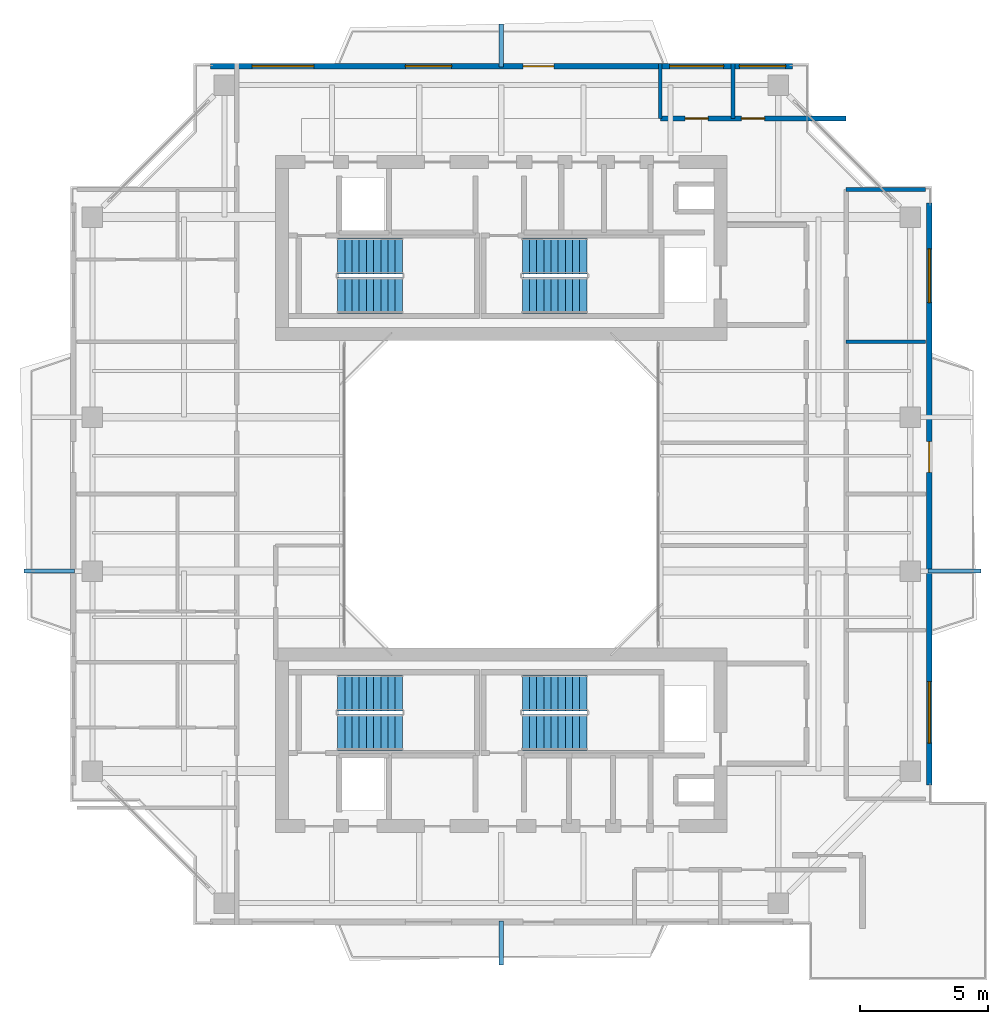
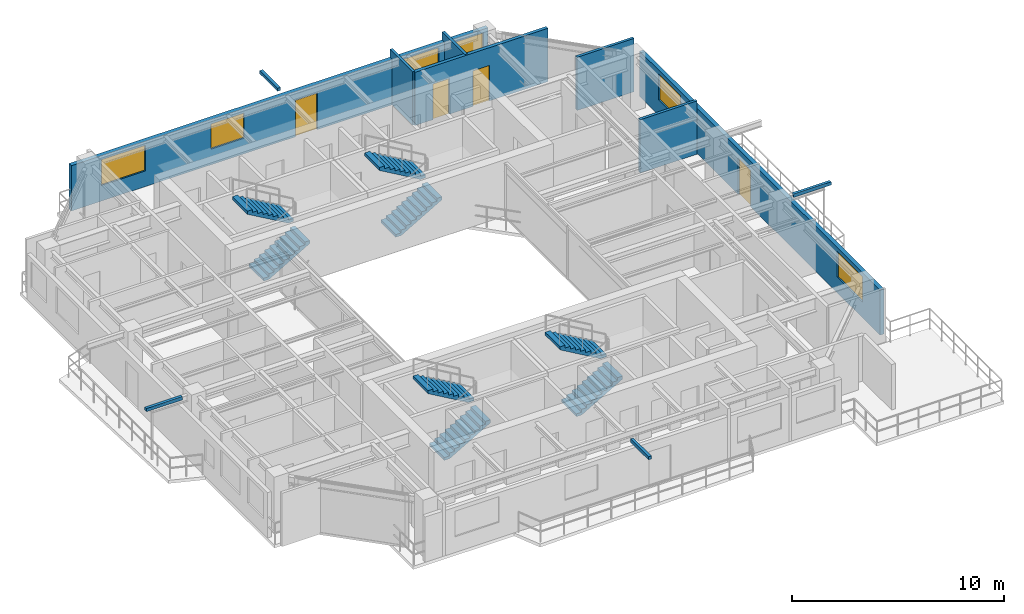
# One storey, part 13 of 15: 8 stair flights, 7 walls, 6 windows, 4 discrete accessories, 4 doors, 10 openings, 4 elements without a shape of their own.
"""IFC4 building model written with IfcOpenShell, lengths in metres."""

from ifc_helpers import new_model, si_unit, direction, frame, frame_2d, origin, origin_2d, place, context, subcontext, project, spatial, polyline, rectangle, outline, extrude, source, transform, mapped, material, layer, layer_set, type_object, element, fill, aggregate, save


model = new_model("IFC4")

# Units and contexts
model_context = context("Model", 3, precision=1e-05, world=origin(), true_north=direction((0.0, 1.0)))
body_context = subcontext(model_context, "Body", "Model", "MODEL_VIEW")
ifc_project = project(units=[si_unit("LENGTHUNIT", "METRE"), si_unit("AREAUNIT", "SQUARE_METRE"), si_unit("VOLUMEUNIT", "CUBIC_METRE"), si_unit("PLANEANGLEUNIT", "RADIAN"), si_unit("MASSUNIT", "GRAM", prefix="KILO"), si_unit("THERMODYNAMICTEMPERATUREUNIT", "KELVIN"), si_unit("POWERUNIT", "WATT")], contexts=[model_context])

# Site, building, storey
site_placement = place(None, origin())
site = spatial("IfcSite", under=ifc_project, at=site_placement, CompositionType="ELEMENT")
building_placement = place(site_placement, origin())
building = spatial("IfcBuilding", under=site, at=building_placement, Name="Qiaomeng Ring Towers", CompositionType="ELEMENT")
storey_placement = place(building_placement, frame((0.0, 0.0, 213.25)))
storey = spatial("IfcBuildingStorey", under=building, at=storey_placement, Name="L62", CompositionType="ELEMENT", Elevation=213.25)

# Wall, openings, windows, door
ifc_material_1 = material(Name="Precast concrete C40", Category="concrete")
ifc_layer_1 = layer(ifc_material_1, 0.219970703125, Name="Precast concrete C40")
ifc_layer_set_1 = layer_set([ifc_layer_1], Name="Precast concrete C40")
wall_type_1 = type_object("IfcWallType", Name="ARC-WL-EW2", PredefinedType="STANDARD", material=ifc_layer_set_1)
wall_1_placement = place(storey_placement, frame((7.64990234375, 39.68994140625, 0.0), z_axis=(0.0, 0.0, 1.0), x_axis=(1.0, 0.0, 0.0)))
wall_1 = element("IfcWall", 1, at=wall_1_placement, inside=storey, type_object=wall_type_1, Name="L62 Tower 1 N Exterior Wall", PredefinedType="STANDARD", context=body_context, shape_type="SweptSolid", body=[
    extrude(rectangle(XDim=22.7001953125, YDim=0.219970703125, at=frame_2d((11.35009765625, 0.0))), origin(), (0.0, 0.0, 1.0), 2.610107421875),
])
opening_1_placement = place(wall_1_placement, frame((12.199951171875, 0.0, 0.0)))
opening_1 = element("IfcOpeningElement", 2, at=opening_1_placement, cuts=wall_1, Name="Opening BD1", PredefinedType="OPENING", context=body_context, shape_type="SweptSolid", body=[
    extrude(rectangle(XDim=1.199951171875, YDim=2.10009765625, at=frame_2d((0.60009765625, 1.050048828125))), frame((0.0, 0.119873046875, 0.0), z_axis=(0.0, -1.0, 0.0), x_axis=(1.0, 0.0, 0.0)), (0.0, 0.0, 1.0), 0.239990234375),
])
opening_2_placement = place(wall_1_placement, frame((1.636962890625, 0.0, 0.89990234375)))
opening_2 = element("IfcOpeningElement", 3, at=opening_2_placement, cuts=wall_1, Name="Opening WN6", PredefinedType="OPENING", context=body_context, shape_type="SweptSolid", body=[
    extrude(rectangle(XDim=2.39990234375, YDim=1.47998046875, at=frame_2d((1.199951171875, 0.739990234375))), frame((0.0, 0.119873046875, 0.0), z_axis=(0.0, -1.0, 0.0), x_axis=(1.0, 0.0, 0.0)), (0.0, 0.0, 1.0), 0.239990234375),
])
opening_3_placement = place(wall_1_placement, frame((7.612060546875, 0.0, 0.89990234375)))
opening_3 = element("IfcOpeningElement", 4, at=opening_3_placement, cuts=wall_1, Name="Opening WN1", PredefinedType="OPENING", context=body_context, shape_type="SweptSolid", body=[
    extrude(rectangle(XDim=1.800048828125, YDim=1.449951171875, at=frame_2d((0.89990234375, 0.72509765625))), frame((0.0, 0.119873046875, 0.0), z_axis=(0.0, -1.0, 0.0), x_axis=(1.0, 0.0, 0.0)), (0.0, 0.0, 1.0), 0.239990234375),
])
opening_4_placement = place(wall_1_placement, frame((17.919921875, 0.0, 0.89990234375)))
opening_4 = element("IfcOpeningElement", 5, at=opening_4_placement, cuts=wall_1, Name="Opening WN4", PredefinedType="OPENING", context=body_context, shape_type="SweptSolid", body=[
    extrude(rectangle(XDim=2.10009765625, YDim=1.5, at=frame_2d((1.050048828125, 0.75))), frame((0.0, 0.119873046875, 0.0), z_axis=(0.0, -1.0, 0.0), x_axis=(1.0, 0.0, 0.0)), (0.0, 0.0, 1.0), 0.239990234375),
])
opening_5_placement = place(wall_1_placement, frame((20.637451171875, 0.0, 0.89990234375)))
opening_5 = element("IfcOpeningElement", 6, at=opening_5_placement, cuts=wall_1, Name="Opening WN1", PredefinedType="OPENING", context=body_context, shape_type="SweptSolid", body=[
    extrude(rectangle(XDim=1.800048828125, YDim=1.5, at=frame_2d((0.89990234375, 0.75))), frame((0.0, 0.119873046875, 0.0), z_axis=(0.0, -1.0, 0.0), x_axis=(1.0, 0.0, 0.0)), (0.0, 0.0, 1.0), 0.239990234375),
])
ifc_material_2 = material(Name="Low-E dark-grey laminated double glazing", Category="glass")
window_type_1 = type_object("IfcWindowType", Name="ARC-WN-4", PartitioningType="TRIPLE_PANEL_VERTICAL", PredefinedType="WINDOW", material=ifc_material_2)
shared_shape_1 = source(origin(), body_context, "Body", "SweptSolid", [
    extrude(rectangle(XDim=2.10009765625, YDim=1.5, at=frame_2d((1.050048828125, 0.75))), frame((0.0, 0.030029296875, 0.0), z_axis=(0.0, -1.0, 0.0), x_axis=(1.0, 0.0, 0.0)), (0.0, 0.0, 1.0), 0.06005859375),
])
window_1_placement = place(opening_4_placement, origin())
window_1 = element("IfcWindow", 7, at=window_1_placement, inside=storey, type_object=window_type_1, Name="L62 Exterior Window WN4", OverallHeight=1.5, OverallWidth=2.10009765625, PartitioningType="TRIPLE_PANEL_VERTICAL", PredefinedType="WINDOW", context=body_context, shape_type="MappedRepresentation", body=[
    mapped(shared_shape_1, transform((0.0, 0.0, 0.0), x_axis=(1.0, 0.0, 0.0), y_axis=(0.0, 1.0, 0.0), z_axis=(0.0, 0.0, 1.0), scale=1.0)),
])
fill(opening_4, window_1)
window_type_2 = type_object("IfcWindowType", Name="ARC-WN-1", PartitioningType="DOUBLE_PANEL_VERTICAL", PredefinedType="WINDOW", material=ifc_material_2)
shared_shape_2 = source(origin(), body_context, "Body", "SweptSolid", [
    extrude(rectangle(XDim=1.800048828125, YDim=1.449951171875, at=frame_2d((0.89990234375, 0.72509765625))), frame((0.0, 0.030029296875, 0.0), z_axis=(0.0, -1.0, 0.0), x_axis=(1.0, 0.0, 0.0)), (0.0, 0.0, 1.0), 0.06005859375),
])
window_2_placement = place(opening_3_placement, origin())
window_2 = element("IfcWindow", 8, at=window_2_placement, inside=storey, type_object=window_type_2, Name="L62 Exterior Window WN1", OverallHeight=1.449951171875, OverallWidth=1.800048828125, PartitioningType="DOUBLE_PANEL_VERTICAL", PredefinedType="WINDOW", context=body_context, shape_type="MappedRepresentation", body=[
    mapped(shared_shape_2, transform((0.0, 0.0, 0.0), x_axis=(1.0, 0.0, 0.0), y_axis=(0.0, 1.0, 0.0), z_axis=(0.0, 0.0, 1.0), scale=1.0)),
])
fill(opening_3, window_2)
window_type_3 = type_object("IfcWindowType", Name="ARC-WN-6", PartitioningType="TRIPLE_PANEL_VERTICAL", PredefinedType="WINDOW", material=ifc_material_2)
shared_shape_3 = source(origin(), body_context, "Body", "SweptSolid", [
    extrude(rectangle(XDim=2.39990234375, YDim=1.47998046875, at=frame_2d((1.199951171875, 0.739990234375))), frame((0.0, 0.030029296875, 0.0), z_axis=(0.0, -1.0, 0.0), x_axis=(1.0, 0.0, 0.0)), (0.0, 0.0, 1.0), 0.06005859375),
])
window_3_placement = place(opening_2_placement, origin())
window_3 = element("IfcWindow", 9, at=window_3_placement, inside=storey, type_object=window_type_3, Name="L62 Exterior Window WN6", OverallHeight=1.47998046875, OverallWidth=2.39990234375, PartitioningType="TRIPLE_PANEL_VERTICAL", PredefinedType="WINDOW", context=body_context, shape_type="MappedRepresentation", body=[
    mapped(shared_shape_3, transform((0.0, 0.0, 0.0), x_axis=(1.0, 0.0, 0.0), y_axis=(0.0, 1.0, 0.0), z_axis=(0.0, 0.0, 1.0), scale=1.0)),
])
fill(opening_2, window_3)
door_type_1 = type_object("IfcDoorType", Name="ARC-DR-BD1", OperationType="NOTDEFINED", PredefinedType="DOOR", material=ifc_material_2)
shared_shape_4 = source(origin(), body_context, "Body", "SweptSolid", [
    extrude(rectangle(XDim=1.199951171875, YDim=2.10009765625, at=frame_2d((0.60009765625, 1.050048828125))), frame((0.0, 0.02490234375, 0.0), z_axis=(0.0, -1.0, 0.0), x_axis=(1.0, 0.0, 0.0)), (0.0, 0.0, 1.0), 0.050048828125),
])
door_1_placement = place(opening_1_placement, origin())
door_1 = element("IfcDoor", 10, at=door_1_placement, inside=storey, type_object=door_type_1, Name="L62 N Balcony Glazed Door", OperationType="SINGLE_SWING_LEFT", OverallHeight=2.10009765625, OverallWidth=1.199951171875, PredefinedType="DOOR", context=body_context, shape_type="MappedRepresentation", body=[
    mapped(shared_shape_4, transform((0.0, 0.0, 0.0), x_axis=(1.0, 0.0, 0.0), y_axis=(0.0, 1.0, 0.0), z_axis=(0.0, 0.0, 1.0), scale=1.0)),
])
fill(opening_1, door_1)
shared_shape_5 = source(origin(), body_context, "Body", "SweptSolid", [
    extrude(rectangle(XDim=1.800048828125, YDim=1.5, at=frame_2d((0.89990234375, 0.75))), frame((0.0, 0.030029296875, 0.0), z_axis=(0.0, -1.0, 0.0), x_axis=(1.0, 0.0, 0.0)), (0.0, 0.0, 1.0), 0.06005859375),
])
window_4_placement = place(opening_5_placement, origin())
window_4 = element("IfcWindow", 11, at=window_4_placement, inside=storey, type_object=window_type_2, Name="L62 Exterior Window WN1", OverallHeight=1.5, OverallWidth=1.800048828125, PartitioningType="DOUBLE_PANEL_VERTICAL", PredefinedType="WINDOW", context=body_context, shape_type="MappedRepresentation", body=[
    mapped(shared_shape_5, transform((0.0, 0.0, 0.0), x_axis=(1.0, 0.0, 0.0), y_axis=(0.0, 1.0, 0.0), z_axis=(0.0, 0.0, 1.0), scale=1.0)),
])
fill(opening_5, window_4)

wall_2_placement = place(storey_placement, frame((35.68994140625, 11.64990234375, 0.0), z_axis=(0.0, 0.0, 1.0), x_axis=(0.0, 1.0, 0.0)))
wall_2 = element("IfcWall", 12, at=wall_2_placement, inside=storey, type_object=wall_type_1, Name="L62 Tower 1 E Exterior Wall", PredefinedType="STANDARD", context=body_context, shape_type="SweptSolid", body=[
    extrude(rectangle(XDim=22.7001953125, YDim=0.219970703125, at=frame_2d((11.35009765625, 0.0))), origin(), (0.0, 0.0, 1.0), 2.610107421875),
])
opening_6_placement = place(wall_2_placement, frame((12.199951171875, 0.0, 0.0)))
opening_6 = element("IfcOpeningElement", 13, at=opening_6_placement, cuts=wall_2, Name="Opening BD1", PredefinedType="OPENING", context=body_context, shape_type="SweptSolid", body=[
    extrude(rectangle(XDim=1.199951171875, YDim=2.10009765625, at=frame_2d((0.60009765625, 1.050048828125))), frame((0.0, 0.119873046875, 0.0), z_axis=(0.0, -1.0, 0.0), x_axis=(1.0, 0.0, 0.0)), (0.0, 0.0, 1.0), 0.239990234375),
])
opening_7_placement = place(wall_2_placement, frame((1.637939453125, 0.0, 0.89990234375)))
opening_7 = element("IfcOpeningElement", 14, at=opening_7_placement, cuts=wall_2, Name="Opening WN6", PredefinedType="OPENING", context=body_context, shape_type="SweptSolid", body=[
    extrude(rectangle(XDim=2.39990234375, YDim=1.47998046875, at=frame_2d((1.199951171875, 0.739990234375))), frame((0.0, 0.119873046875, 0.0), z_axis=(0.0, -1.0, 0.0), x_axis=(1.0, 0.0, 0.0)), (0.0, 0.0, 1.0), 0.239990234375),
])
opening_8_placement = place(wall_2_placement, frame((18.81298828125, 0.0, 0.89990234375)))
opening_8 = element("IfcOpeningElement", 15, at=opening_8_placement, cuts=wall_2, Name="Opening WN4", PredefinedType="OPENING", context=body_context, shape_type="SweptSolid", body=[
    extrude(rectangle(XDim=2.10009765625, YDim=1.47998046875, at=frame_2d((1.050048828125, 0.739990234375))), frame((0.0, 0.119873046875, 0.0), z_axis=(0.0, -1.0, 0.0), x_axis=(1.0, 0.0, 0.0)), (0.0, 0.0, 1.0), 0.239990234375),
])
shared_shape_6 = source(origin(), body_context, "Body", "SweptSolid", [
    extrude(rectangle(XDim=2.10009765625, YDim=1.47998046875, at=frame_2d((1.050048828125, 0.739990234375))), frame((0.0, 0.030029296875, 0.0), z_axis=(0.0, -1.0, 0.0), x_axis=(1.0, 0.0, 0.0)), (0.0, 0.0, 1.0), 0.06005859375),
])
window_5_placement = place(opening_8_placement, origin())
window_5 = element("IfcWindow", 16, at=window_5_placement, inside=storey, type_object=window_type_1, Name="L62 Exterior Window WN4", OverallHeight=1.47998046875, OverallWidth=2.10009765625, PartitioningType="TRIPLE_PANEL_VERTICAL", PredefinedType="WINDOW", context=body_context, shape_type="MappedRepresentation", body=[
    mapped(shared_shape_6, transform((0.0, 0.0, 0.0), x_axis=(1.0, 0.0, 0.0), y_axis=(0.0, 1.0, 0.0), z_axis=(0.0, 0.0, 1.0), scale=1.0)),
])
fill(opening_8, window_5)
window_6_placement = place(opening_7_placement, origin())
window_6 = element("IfcWindow", 17, at=window_6_placement, inside=storey, type_object=window_type_3, Name="L62 Exterior Window WN6", OverallHeight=1.47998046875, OverallWidth=2.39990234375, PartitioningType="TRIPLE_PANEL_VERTICAL", PredefinedType="WINDOW", context=body_context, shape_type="MappedRepresentation", body=[
    mapped(shared_shape_3, transform((0.0, 0.0, 0.0), x_axis=(1.0, 0.0, 0.0), y_axis=(0.0, 1.0, 0.0), z_axis=(0.0, 0.0, 1.0), scale=1.0)),
])
fill(opening_7, window_6)
door_2_placement = place(opening_6_placement, origin())
door_2 = element("IfcDoor", 18, at=door_2_placement, inside=storey, type_object=door_type_1, Name="L62 E Balcony Glazed Door", OperationType="SINGLE_SWING_LEFT", OverallHeight=2.10009765625, OverallWidth=1.199951171875, PredefinedType="DOOR", context=body_context, shape_type="MappedRepresentation", body=[
    mapped(shared_shape_4, transform((0.0, 0.0, 0.0), x_axis=(1.0, 0.0, 0.0), y_axis=(0.0, 1.0, 0.0), z_axis=(0.0, 0.0, 1.0), scale=1.0)),
])
fill(opening_6, door_2)

# Wall, openings, doors
ifc_material_3 = material(Name="Autoclaved aerated concrete block", Category="concrete")
ifc_layer_2 = layer(ifc_material_3, 0.179931640625, Name="Autoclaved aerated concrete block")
ifc_layer_set_2 = layer_set([ifc_layer_2], Name="Autoclaved aerated concrete block")
wall_type_2 = type_object("IfcWallType", Name="ARC-WL-PW2", PredefinedType="PARTITIONING", material=ifc_layer_set_2)
wall_3_placement = place(storey_placement, frame((25.199951171875, 37.64990234375, 0.0), z_axis=(0.0, 0.0, 1.0), x_axis=(1.0, 0.0, 0.0)))
wall_3 = element("IfcWall", 19, at=wall_3_placement, inside=storey, type_object=wall_type_2, Name="L62 Interior Wall PW2", PredefinedType="PARTITIONING", context=body_context, shape_type="SweptSolid", body=[
    extrude(rectangle(XDim=7.25, YDim=0.179931640625, at=frame_2d((3.625, 0.0))), origin(), (0.0, 0.0, 1.0), 3.070068359375),
])
opening_9_placement = place(wall_3_placement, frame((0.969970703125, 0.0, 0.0)))
opening_9 = element("IfcOpeningElement", 20, at=opening_9_placement, cuts=wall_3, Name="Opening ID1", PredefinedType="OPENING", context=body_context, shape_type="SweptSolid", body=[
    extrude(rectangle(XDim=0.89990234375, YDim=2.050048828125, at=frame_2d((0.449951171875, 1.02490234375))), frame((0.0, 0.099853515625, 0.0), z_axis=(0.0, -1.0, 0.0), x_axis=(1.0, 0.0, 0.0)), (0.0, 0.0, 1.0), 0.199951171875),
])
opening_10_placement = place(wall_3_placement, frame((3.16796875, 0.0, 0.0)))
opening_10 = element("IfcOpeningElement", 21, at=opening_10_placement, cuts=wall_3, Name="Opening ID1", PredefinedType="OPENING", context=body_context, shape_type="SweptSolid", body=[
    extrude(rectangle(XDim=0.89990234375, YDim=2.050048828125, at=frame_2d((0.449951171875, 1.02490234375))), frame((0.0, 0.099853515625, 0.0), z_axis=(0.0, -1.0, 0.0), x_axis=(1.0, 0.0, 0.0)), (0.0, 0.0, 1.0), 0.199951171875),
])
ifc_material_4 = material(Name="Engineered oak timber", Category="wood")
door_type_2 = type_object("IfcDoorType", Name="ARC-DR-ID1", OperationType="NOTDEFINED", PredefinedType="DOOR", material=ifc_material_4)
shared_shape_7 = source(origin(), body_context, "Body", "SweptSolid", [
    extrude(rectangle(XDim=0.89990234375, YDim=2.050048828125, at=frame_2d((0.449951171875, 1.02490234375))), frame((0.0, 0.02490234375, 0.0), z_axis=(0.0, -1.0, 0.0), x_axis=(1.0, 0.0, 0.0)), (0.0, 0.0, 1.0), 0.050048828125),
])
door_3_placement = place(opening_9_placement, origin())
door_3 = element("IfcDoor", 22, at=door_3_placement, inside=storey, type_object=door_type_2, Name="L62 Door ID1", OperationType="SINGLE_SWING_LEFT", OverallHeight=2.050048828125, OverallWidth=0.89990234375, PredefinedType="DOOR", context=body_context, shape_type="MappedRepresentation", body=[
    mapped(shared_shape_7, transform((0.0, 0.0, 0.0), x_axis=(1.0, 0.0, 0.0), y_axis=(0.0, 1.0, 0.0), z_axis=(0.0, 0.0, 1.0), scale=1.0)),
])
fill(opening_9, door_3)
door_4_placement = place(opening_10_placement, origin())
door_4 = element("IfcDoor", 23, at=door_4_placement, inside=storey, type_object=door_type_2, Name="L62 Door ID1", OperationType="SINGLE_SWING_RIGHT", OverallHeight=2.050048828125, OverallWidth=0.89990234375, PredefinedType="DOOR", context=body_context, shape_type="MappedRepresentation", body=[
    mapped(shared_shape_7, transform((0.0, 0.0, 0.0), x_axis=(1.0, 0.0, 0.0), y_axis=(0.0, 1.0, 0.0), z_axis=(0.0, 0.0, 1.0), scale=1.0)),
])
fill(opening_10, door_4)

# Walls
ifc_material_5 = material(Name="Gypsum fireboard steel-stud partition", Category="steel")
ifc_layer_3 = layer(ifc_material_5, 0.14990234375, Name="Gypsum fireboard steel-stud partition")
ifc_layer_set_3 = layer_set([ifc_layer_3], Name="Gypsum fireboard steel-stud partition")
wall_type_3 = type_object("IfcWallType", Name="ARC-WL-PW3", PredefinedType="PARTITIONING", material=ifc_layer_set_3)
for number, where, z_axis, x_axis, name in (
    (24, (25.199951171875, 37.64990234375, 0.0), (0.0, 0.0, 1.0), (0.0, 1.0, 0.0), "L62 Interior Wall PW3"),
    (25, (28.0400390625, 37.64990234375, 0.0), (0.0, 0.0, 1.0), (0.0, 1.0, 0.0), "L62 Interior Wall PW3"),
):
    element("IfcWall", number, at=place(storey_placement, frame(where, z_axis=z_axis, x_axis=x_axis)), inside=storey, type_object=wall_type_3, Name=name, PredefinedType="PARTITIONING", context=body_context, shape_type="SweptSolid", body=[
        extrude(rectangle(XDim=2.150146484375, YDim=0.14990234375, at=frame_2d((1.0751953125, 0.0))), origin(), (0.0, 0.0, 1.0), 3.070068359375),
    ])
for number, where, z_axis, x_axis, name in (
    (26, (32.449951171875, 34.8798828125, 0.0), (0.0, 0.0, 1.0), (1.0, 0.0, 0.0), "L62 Interior Wall PW3"),
    (27, (32.449951171875, 28.93994140625, 0.0), (0.0, 0.0, 1.0), (1.0, 0.0, 0.0), "L62 Interior Wall PW3"),
):
    element("IfcWall", number, at=place(storey_placement, frame(where, z_axis=z_axis, x_axis=x_axis)), inside=storey, type_object=wall_type_3, Name=name, PredefinedType="PARTITIONING", context=body_context, shape_type="SweptSolid", body=[
        extrude(rectangle(XDim=3.10009765625, YDim=0.14990234375, at=frame_2d((1.550048828125, 0.0))), origin(), (0.0, 0.0, 1.0), 3.070068359375),
    ])

# Stair, stair flights
stair_type = type_object("IfcStairType", Name="ARC-ST-325", PredefinedType="HALF_TURN_STAIR", material=ifc_material_1)
stair_1_placement = place(storey_placement, origin())
stair_1 = element("IfcStair", 28, at=stair_1_placement, inside=storey, type_object=stair_type, Name="L62 Tower 1 North Stair 1", PredefinedType="HALF_TURN_STAIR")
stair_flight_type = type_object("IfcStairFlightType", Name="ARC-ST-325-FL", PredefinedType="STRAIGHT", material=ifc_material_1)
shared_shape_8 = source(origin(), body_context, "Body", "SweptSolid", [
    extrude(outline(polyline([(0.0, 0.0), (0.0, 0.16259765625), (0.280029296875, 0.16259765625), (0.280029296875, 0.324951171875), (0.56005859375, 0.324951171875), (0.56005859375, 0.487548828125), (0.840087890625, 0.487548828125), (0.840087890625, 0.64990234375), (1.1201171875, 0.64990234375), (1.1201171875, 0.8125), (1.39990234375, 0.8125), (1.39990234375, 0.97509765625), (1.679931640625, 0.97509765625), (1.679931640625, 1.137451171875), (1.9599609375, 1.137451171875), (1.9599609375, 1.300048828125), (2.239990234375, 1.300048828125), (2.239990234375, 1.46240234375), (2.52001953125, 1.46240234375), (2.52001953125, 1.625), (2.52001953125, 1.2890625), (0.298583984375, 0.0), (0.0, 0.0)])), frame((0.0, 0.699951171875, 0.0), z_axis=(0.0, -1.0, 0.0), x_axis=(1.0, 0.0, 0.0)), (0.0, 0.0, 1.0), 1.39990234375),
])
stair_flight_1_placement = place(storey_placement, frame((12.6201171875, 30.75, 0.0), z_axis=(0.0, 0.0, 1.0), x_axis=(1.0, 0.0, 0.0)))
stair_flight_1 = element("IfcStairFlight", 29, at=stair_flight_1_placement, type_object=stair_flight_type, Name="ST1 flight 1", NumberOfRisers=10, NumberOfTreads=9, PredefinedType="STRAIGHT", RiserHeight=0.1625, TreadLength=0.28, context=body_context, shape_type="MappedRepresentation", body=[
    mapped(shared_shape_8, transform((0.0, 0.0, 0.0), x_axis=(1.0, 0.0, 0.0), y_axis=(0.0, 1.0, 0.0), z_axis=(0.0, 0.0, 1.0), scale=1.0)),
])
stair_flight_2_placement = place(storey_placement, frame((15.139892578125, 32.2900390625, 1.625), z_axis=(0.0, 0.0, 1.0), x_axis=(-1.0, 0.0, 0.0)))
stair_flight_2 = element("IfcStairFlight", 30, at=stair_flight_2_placement, type_object=stair_flight_type, Name="ST1 flight 2", NumberOfRisers=10, NumberOfTreads=9, PredefinedType="STRAIGHT", RiserHeight=0.1625, TreadLength=0.28, context=body_context, shape_type="MappedRepresentation", body=[
    mapped(shared_shape_8, transform((0.0, 0.0, 0.0), x_axis=(1.0, 0.0, 0.0), y_axis=(0.0, 1.0, 0.0), z_axis=(0.0, 0.0, 1.0), scale=1.0)),
])
aggregate(stair_1, [stair_flight_1, stair_flight_2])

stair_2_placement = place(storey_placement, origin())
stair_2 = element("IfcStair", 31, at=stair_2_placement, inside=storey, type_object=stair_type, Name="L62 Tower 1 North Stair 2", PredefinedType="HALF_TURN_STAIR")
stair_flight_3_placement = place(storey_placement, frame((19.820068359375, 30.75, 0.0), z_axis=(0.0, 0.0, 1.0), x_axis=(1.0, 0.0, 0.0)))
stair_flight_3 = element("IfcStairFlight", 32, at=stair_flight_3_placement, type_object=stair_flight_type, Name="ST2 flight 1", NumberOfRisers=10, NumberOfTreads=9, PredefinedType="STRAIGHT", RiserHeight=0.1625, TreadLength=0.28, context=body_context, shape_type="MappedRepresentation", body=[
    mapped(shared_shape_8, transform((0.0, 0.0, 0.0), x_axis=(1.0, 0.0, 0.0), y_axis=(0.0, 1.0, 0.0), z_axis=(0.0, 0.0, 1.0), scale=1.0)),
])
stair_flight_4_placement = place(storey_placement, frame((22.340087890625, 32.2900390625, 1.625), z_axis=(0.0, 0.0, 1.0), x_axis=(-1.0, 0.0, 0.0)))
stair_flight_4 = element("IfcStairFlight", 33, at=stair_flight_4_placement, type_object=stair_flight_type, Name="ST2 flight 2", NumberOfRisers=10, NumberOfTreads=9, PredefinedType="STRAIGHT", RiserHeight=0.1625, TreadLength=0.28, context=body_context, shape_type="MappedRepresentation", body=[
    mapped(shared_shape_8, transform((0.0, 0.0, 0.0), x_axis=(1.0, 0.0, 0.0), y_axis=(0.0, 1.0, 0.0), z_axis=(0.0, 0.0, 1.0), scale=1.0)),
])
aggregate(stair_2, [stair_flight_3, stair_flight_4])

stair_3_placement = place(storey_placement, origin())
stair_3 = element("IfcStair", 34, at=stair_3_placement, inside=storey, type_object=stair_type, Name="L62 Tower 1 South Stair 3", PredefinedType="HALF_TURN_STAIR")
stair_flight_5_placement = place(storey_placement, frame((12.6201171875, 13.7099609375, 0.0), z_axis=(0.0, 0.0, 1.0), x_axis=(1.0, 0.0, 0.0)))
stair_flight_5 = element("IfcStairFlight", 35, at=stair_flight_5_placement, type_object=stair_flight_type, Name="ST3 flight 1", NumberOfRisers=10, NumberOfTreads=9, PredefinedType="STRAIGHT", RiserHeight=0.1625, TreadLength=0.28, context=body_context, shape_type="MappedRepresentation", body=[
    mapped(shared_shape_8, transform((0.0, 0.0, 0.0), x_axis=(1.0, 0.0, 0.0), y_axis=(0.0, 1.0, 0.0), z_axis=(0.0, 0.0, 1.0), scale=1.0)),
])
stair_flight_6_placement = place(storey_placement, frame((15.139892578125, 15.25, 1.625), z_axis=(0.0, 0.0, 1.0), x_axis=(-1.0, 0.0, 0.0)))
stair_flight_6 = element("IfcStairFlight", 36, at=stair_flight_6_placement, type_object=stair_flight_type, Name="ST3 flight 2", NumberOfRisers=10, NumberOfTreads=9, PredefinedType="STRAIGHT", RiserHeight=0.1625, TreadLength=0.28, context=body_context, shape_type="MappedRepresentation", body=[
    mapped(shared_shape_8, transform((0.0, 0.0, 0.0), x_axis=(1.0, 0.0, 0.0), y_axis=(0.0, 1.0, 0.0), z_axis=(0.0, 0.0, 1.0), scale=1.0)),
])
aggregate(stair_3, [stair_flight_5, stair_flight_6])

stair_4_placement = place(storey_placement, origin())
stair_4 = element("IfcStair", 37, at=stair_4_placement, inside=storey, type_object=stair_type, Name="L62 Tower 1 South Stair 4", PredefinedType="HALF_TURN_STAIR")
stair_flight_7_placement = place(storey_placement, frame((19.820068359375, 13.7099609375, 0.0), z_axis=(0.0, 0.0, 1.0), x_axis=(1.0, 0.0, 0.0)))
stair_flight_7 = element("IfcStairFlight", 38, at=stair_flight_7_placement, type_object=stair_flight_type, Name="ST4 flight 1", NumberOfRisers=10, NumberOfTreads=9, PredefinedType="STRAIGHT", RiserHeight=0.1625, TreadLength=0.28, context=body_context, shape_type="MappedRepresentation", body=[
    mapped(shared_shape_8, transform((0.0, 0.0, 0.0), x_axis=(1.0, 0.0, 0.0), y_axis=(0.0, 1.0, 0.0), z_axis=(0.0, 0.0, 1.0), scale=1.0)),
])
stair_flight_8_placement = place(storey_placement, frame((22.340087890625, 15.25, 1.625), z_axis=(0.0, 0.0, 1.0), x_axis=(-1.0, 0.0, 0.0)))
stair_flight_8 = element("IfcStairFlight", 39, at=stair_flight_8_placement, type_object=stair_flight_type, Name="ST4 flight 2", NumberOfRisers=10, NumberOfTreads=9, PredefinedType="STRAIGHT", RiserHeight=0.1625, TreadLength=0.28, context=body_context, shape_type="MappedRepresentation", body=[
    mapped(shared_shape_8, transform((0.0, 0.0, 0.0), x_axis=(1.0, 0.0, 0.0), y_axis=(0.0, 1.0, 0.0), z_axis=(0.0, 0.0, 1.0), scale=1.0)),
])
aggregate(stair_4, [stair_flight_7, stair_flight_8])

# Discrete accessories
ifc_material_6 = material(Name="Stainless steel 316", Category="steel")
discrete_accessory_type = type_object("IfcDiscreteAccessoryType", Name="ARC-ACC-BRACKET", PredefinedType="BRACKET", material=ifc_material_6)
shared_shape_9 = source(origin(), body_context, "Body", "SweptSolid", [
    extrude(rectangle(XDim=2.050048828125, YDim=0.159912109375, at=origin_2d()), origin(), (0.0, 0.0, 1.0), 0.179931640625),
])
discrete_accessory_1_placement = place(storey_placement, frame((36.675048828125, 20.0, 2.89990234375), z_axis=(0.0, 0.0, 1.0), x_axis=(1.0, 0.0, 0.0)))
element("IfcDiscreteAccessory", 40, at=discrete_accessory_1_placement, inside=storey, type_object=discrete_accessory_type, Name="L62 Stainless Outer-Skin Tie Bracket E", PredefinedType="BRACKET", context=body_context, shape_type="MappedRepresentation", body=[
    mapped(shared_shape_9, transform((0.0, 0.0, 0.0), x_axis=(1.0, 0.0, 0.0), y_axis=(0.0, 1.0, 0.0), z_axis=(0.0, 0.0, 1.0), scale=1.0)),
])
shared_shape_10 = source(origin(), body_context, "Body", "SweptSolid", [
    extrude(rectangle(XDim=0.159912109375, YDim=1.7099609375, at=origin_2d()), origin(), (0.0, 0.0, 1.0), 0.179931640625),
])
discrete_accessory_2_placement = place(storey_placement, frame((19.0, 5.4951171875, 2.89990234375), z_axis=(0.0, 0.0, 1.0), x_axis=(1.0, 0.0, 0.0)))
element("IfcDiscreteAccessory", 41, at=discrete_accessory_2_placement, inside=storey, type_object=discrete_accessory_type, Name="L62 Stainless Outer-Skin Tie Bracket S", PredefinedType="BRACKET", context=body_context, shape_type="MappedRepresentation", body=[
    mapped(shared_shape_10, transform((0.0, 0.0, 0.0), x_axis=(1.0, 0.0, 0.0), y_axis=(0.0, 1.0, 0.0), z_axis=(0.0, 0.0, 1.0), scale=1.0)),
])
shared_shape_11 = source(origin(), body_context, "Body", "SweptSolid", [
    extrude(rectangle(XDim=0.159912109375, YDim=1.68994140625, at=origin_2d()), origin(), (0.0, 0.0, 1.0), 0.179931640625),
])
discrete_accessory_3_placement = place(storey_placement, frame((19.0, 40.4951171875, 2.89990234375), z_axis=(0.0, 0.0, 1.0), x_axis=(1.0, 0.0, 0.0)))
element("IfcDiscreteAccessory", 42, at=discrete_accessory_3_placement, inside=storey, type_object=discrete_accessory_type, Name="L62 Stainless Outer-Skin Tie Bracket N", PredefinedType="BRACKET", context=body_context, shape_type="MappedRepresentation", body=[
    mapped(shared_shape_11, transform((0.0, 0.0, 0.0), x_axis=(1.0, 0.0, 0.0), y_axis=(0.0, 1.0, 0.0), z_axis=(0.0, 0.0, 1.0), scale=1.0)),
])
shared_shape_12 = source(origin(), body_context, "Body", "SweptSolid", [
    extrude(rectangle(XDim=1.969970703125, YDim=0.159912109375, at=origin_2d()), origin(), (0.0, 0.0, 1.0), 0.179931640625),
])
discrete_accessory_4_placement = place(storey_placement, frame((1.364990234375, 20.0, 2.89990234375), z_axis=(0.0, 0.0, 1.0), x_axis=(1.0, 0.0, 0.0)))
element("IfcDiscreteAccessory", 43, at=discrete_accessory_4_placement, inside=storey, type_object=discrete_accessory_type, Name="L62 Stainless Outer-Skin Tie Bracket W", PredefinedType="BRACKET", context=body_context, shape_type="MappedRepresentation", body=[
    mapped(shared_shape_12, transform((0.0, 0.0, 0.0), x_axis=(1.0, 0.0, 0.0), y_axis=(0.0, 1.0, 0.0), z_axis=(0.0, 0.0, 1.0), scale=1.0)),
])

save(model, "model.ifc")
